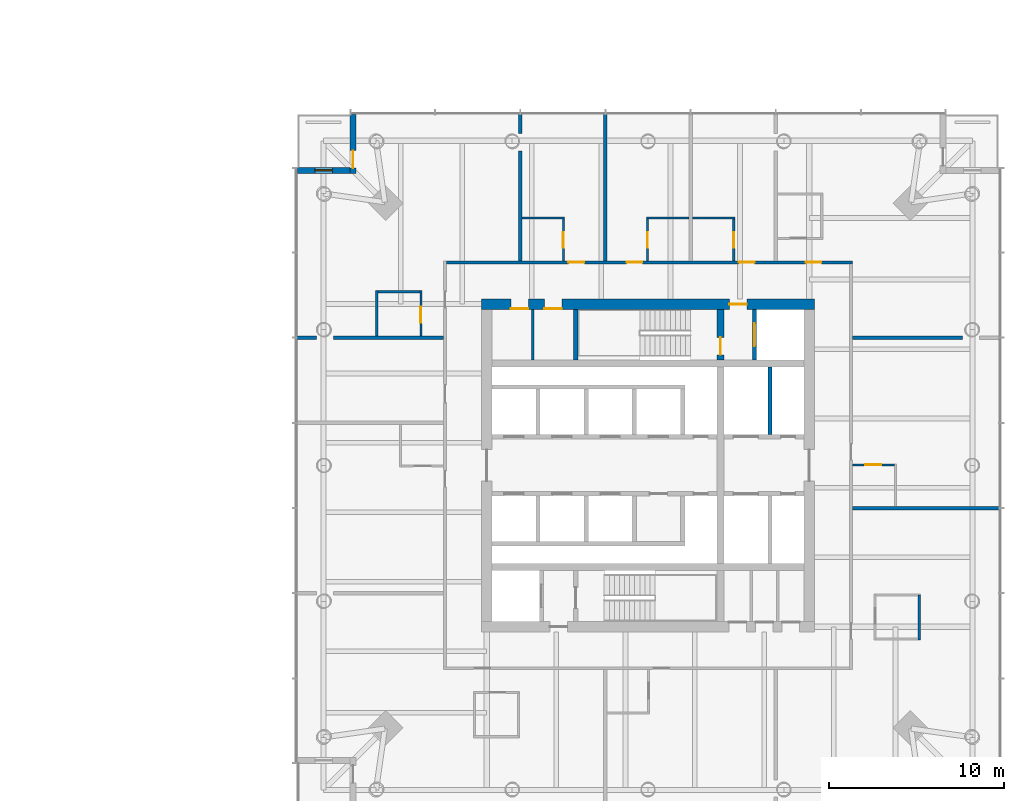
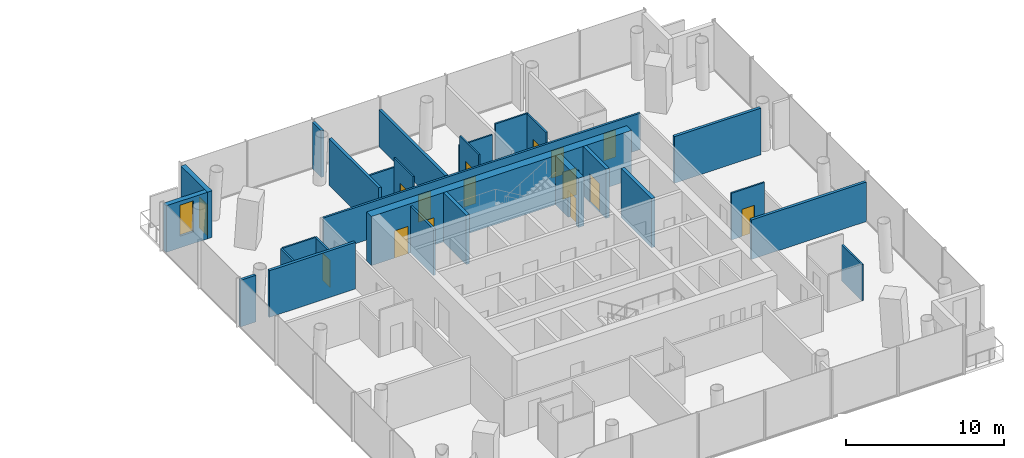
# One storey, part 16 of 21: 27 walls, 15 doors, 1 window, 16 openings.
"""IFC4 building model written with IfcOpenShell, lengths in metres."""

import ifcopenshell
import ifcopenshell.guid

model = None  # the IFC model being written
_history = None  # IfcOwnerHistory: only IFC2X3 demands one
_inside = {}  # id of a spatial element -> (the spatial element, [elements in it])
_under = {}  # id of a project, library or spatial element -> (it, [spatial elements below it])
_declared = {}  # id of a project -> (the project, [libraries it declares])
_typed = {}  # id of a type object -> (the type object, [elements of that type])
_made_of = {}  # id of a material, layer set ... -> (it, [elements and type objects made of it])


def new_model(schema):
    """Start an empty IFC model of exactly this schema.

    Asked for "IFC4X3", IfcOpenShell would pick the latest addendum, in which some entities
    have other attributes; the version numbers below select the first issue.
    IFC2X3 requires an IfcOwnerHistory on every rooted entity: one is made here for all.
    """
    global model, _history
    if schema == "IFC4X3":
        model = ifcopenshell.file(schema_version=(4, 3, 0, 0))
    else:
        model = ifcopenshell.file(schema=schema)
    _inside.clear()
    _under.clear()
    _declared.clear()
    _typed.clear()
    _made_of.clear()
    _history = None
    if model.schema == "IFC2X3":
        org = make("IfcOrganization", Name="unknown")
        user = make(
            "IfcPersonAndOrganization",
            ThePerson=make("IfcPerson", FamilyName="unknown"),
            TheOrganization=org,
        )
        app = make(
            "IfcApplication",
            ApplicationDeveloper=org,
            Version="unknown",
            ApplicationFullName="unknown",
            ApplicationIdentifier="unknown",
        )
        _history = make(
            "IfcOwnerHistory",
            OwningUser=user,
            OwningApplication=app,
            ChangeAction="ADDED",
            CreationDate=0,
        )
    return model


def make(cls, **values):
    """One entity of the class cls with the attributes given. An attribute that is None is left unset."""
    return model.create_entity(
        cls, **{name: value for name, value in values.items() if value is not None}
    )


def rooted(cls, **values):
    """An entity with a GlobalId (a new one), such as an element, a storey or a relation."""
    return make(cls, GlobalId=ifcopenshell.guid.new(), OwnerHistory=_history, **values)


def si_unit(unit_type, name, prefix=None):
    """IfcSIUnit, for example si_unit("LENGTHUNIT", "METRE", prefix="MILLI")."""
    return make("IfcSIUnit", UnitType=unit_type, Prefix=prefix, Name=name)


def assignment(units):
    """IfcUnitAssignment: the units of a project."""
    return None if units is None else make("IfcUnitAssignment", Units=units)


def point(xyz):
    """IfcCartesianPoint."""
    return None if xyz is None else make("IfcCartesianPoint", Coordinates=xyz)


def direction(xyz):
    """IfcDirection."""
    return None if xyz is None else make("IfcDirection", DirectionRatios=xyz)


def frame(location, z_axis=None, x_axis=None):
    """IfcAxis2Placement3D, a coordinate frame: its origin and axes. An axis left out is left unset."""
    return make(
        "IfcAxis2Placement3D",
        Location=point(location),
        Axis=direction(z_axis),
        RefDirection=direction(x_axis),
    )


def frame_2d(location, x_axis=None):
    """IfcAxis2Placement2D, a coordinate frame in the plane: its origin and x axis."""
    return make(
        "IfcAxis2Placement2D", Location=point(location), RefDirection=direction(x_axis)
    )


def origin():
    """The frame at (0, 0, 0) with its axes left unset."""
    return frame((0.0, 0.0, 0.0))


def place(relative_to, where):
    """IfcLocalPlacement: puts the frame where relative to a parent placement (None: the world)."""
    return make(
        "IfcLocalPlacement", PlacementRelTo=relative_to, RelativePlacement=where
    )


def context(
    kind, dimensions, precision=None, world=None, true_north=None, identifier=None
):
    """IfcGeometricRepresentationContext, for example the 3D "Model" context."""
    return make(
        "IfcGeometricRepresentationContext",
        ContextIdentifier=identifier,
        ContextType=kind,
        CoordinateSpaceDimension=dimensions,
        Precision=precision,
        WorldCoordinateSystem=world,
        TrueNorth=true_north,
    )


def subcontext(parent, identifier, kind, view, scale=None):
    """IfcGeometricRepresentationSubContext, for example "Body" below "Model"."""
    return make(
        "IfcGeometricRepresentationSubContext",
        ContextIdentifier=identifier,
        ContextType=kind,
        ParentContext=parent,
        TargetScale=scale,
        TargetView=view,
    )


def project(units=None, contexts=None):
    """IfcProject with its units and contexts."""
    return rooted(
        "IfcProject",
        Name="project",
        RepresentationContexts=contexts,
        UnitsInContext=assignment(units),
    )


def spatial(cls, under=None, at=None, **own):
    """A site, building, storey or space (cls), placed at a placement, below another one or the project."""
    s = rooted(cls, ObjectPlacement=at, **own)
    if under is not None:
        _under.setdefault(under.id(), (under, []))[1].append(s)
    return s


def profile(cls, at=None, kind="AREA", **sizes):
    """A parametric profile (cls). Its sizes go by their IFC names, for example OverallWidth=200.0."""
    return make(cls, ProfileType=kind, Position=at, **sizes)


def rectangle(**sizes):
    """IfcRectangleProfileDef."""
    return profile("IfcRectangleProfileDef", **sizes)


def extrude(swept, where, along, depth):
    """IfcExtrudedAreaSolid: the profile swept, set in the frame where, extruded along a direction by depth."""
    return make(
        "IfcExtrudedAreaSolid",
        SweptArea=swept,
        Position=where,
        ExtrudedDirection=direction(along),
        Depth=depth,
    )


def shape(context_of_items, identifier, shape_type, items):
    """IfcShapeRepresentation: the items that make up one representation, for example the "Body"."""
    return make(
        "IfcShapeRepresentation",
        ContextOfItems=context_of_items,
        RepresentationIdentifier=identifier,
        RepresentationType=shape_type,
        Items=items,
    )


def material(Name=None, Category=None):
    """IfcMaterial."""
    return make("IfcMaterial", Name=Name, Category=Category)


def layer(
    of_material, thickness, ventilated=None, Name=None, Category=None, Priority=None
):
    """IfcMaterialLayer: one layer of a wall or slab, of a material (None: an air gap)."""
    return make(
        "IfcMaterialLayer",
        Material=of_material,
        LayerThickness=thickness,
        IsVentilated=ventilated,
        Name=Name,
        Category=Category,
        Priority=Priority,
    )


def layer_set(layers, Name=None):
    """IfcMaterialLayerSet."""
    return make("IfcMaterialLayerSet", MaterialLayers=layers, LayerSetName=Name)


def made_of(thing, what):
    """Note that an element or type object is made of a material, layer set ...; save() writes the relation."""
    if what is not None:
        _made_of.setdefault(what.id(), (what, []))[1].append(thing)
    return thing


def type_object(cls, material=None, **own):
    """A type object (cls), such as IfcWallType, which elements share."""
    return made_of(rooted(cls, **own), material)


def element(
    cls,
    number,
    at=None,
    inside=None,
    cuts=None,
    type_object=None,
    material=None,
    context=None,
    identifier="Body",
    shape_type=None,
    held_by="IfcProductDefinitionShape",
    body=None,
    shapes=None,
    **own,
):
    """One element of the class cls, such as IfcWall. Its Tag is "e" and its number.

    at: its placement. inside: the storey or other place that contains it. cuts: it is an
    opening in that element (IfcRelVoidsElement). A single representation is given by context,
    identifier, shape_type and body (its items); several are given by shapes. held_by: the class
    of the entity that holds the representations. save() writes the other relations.
    """
    e = rooted(cls, Tag="e%d" % number, ObjectPlacement=at, **own)
    if body is not None:
        shapes = [shape(context, identifier, shape_type, body)]
    if shapes is not None:
        e.Representation = make(held_by, Representations=shapes)
    if inside is not None:
        _inside.setdefault(inside.id(), (inside, []))[1].append(e)
    if cuts is not None:
        rooted(
            "IfcRelVoidsElement", RelatingBuildingElement=cuts, RelatedOpeningElement=e
        )
    if type_object is not None:
        _typed.setdefault(type_object.id(), (type_object, []))[1].append(e)
    return made_of(e, material)


def fill(opening, filler):
    """IfcRelFillsElement: the door or window that sits in an opening."""
    return rooted(
        "IfcRelFillsElement",
        RelatingOpeningElement=opening,
        RelatedBuildingElement=filler,
    )


def aggregate(whole, parts):
    """IfcRelAggregates: a whole, such as a stair, and the parts it consists of."""
    return rooted("IfcRelAggregates", RelatingObject=whole, RelatedObjects=parts)


def save(model, path):
    """Write the relations noted so far, then the file.

    IfcRelAggregates (storeys below a building ...), IfcRelContainedInSpatialStructure (elements
    in a storey), IfcRelDefinesByType, IfcRelAssociatesMaterial and IfcRelDeclares: one each for
    every whole, place, type object, material and project.
    """
    for whole, parts in _under.values():
        aggregate(whole, parts)
    for where, things in _inside.values():
        rooted(
            "IfcRelContainedInSpatialStructure",
            RelatedElements=things,
            RelatingStructure=where,
        )
    for kind, things in _typed.values():
        rooted("IfcRelDefinesByType", RelatedObjects=things, RelatingType=kind)
    for what, things in _made_of.values():
        rooted("IfcRelAssociatesMaterial", RelatedObjects=things, RelatingMaterial=what)
    for by, libraries in _declared.values():
        rooted("IfcRelDeclares", RelatingContext=by, RelatedDefinitions=libraries)
    model.write(path)


model = new_model("IFC4")

# Units and contexts
model_context = context("Model", 3, precision=1e-05, world=origin(), true_north=direction((0.0, 1.0)))
body_context = subcontext(model_context, "Body", "Model", "MODEL_VIEW")
ifc_project = project(units=[si_unit("LENGTHUNIT", "METRE"), si_unit("AREAUNIT", "SQUARE_METRE"), si_unit("VOLUMEUNIT", "CUBIC_METRE"), si_unit("PLANEANGLEUNIT", "RADIAN"), si_unit("MASSUNIT", "GRAM", prefix="KILO")], contexts=[model_context])

# Site, building, storey
site_placement = place(None, origin())
site = spatial("IfcSite", under=ifc_project, at=site_placement, CompositionType="ELEMENT")
building_placement = place(site_placement, origin())
building = spatial("IfcBuilding", under=site, at=building_placement, Name="Ostroluk Exchange", CompositionType="ELEMENT")
storey_placement = place(building_placement, frame((0.0, 0.0, 32.39990234375)))
storey = spatial("IfcBuildingStorey", under=building, at=storey_placement, Name="L07", CompositionType="ELEMENT", Elevation=32.39990234375)

# Wall
ifc_material_1 = material(Name="Concrete blockwork", Category="masonry")
ifc_layer_1 = layer(ifc_material_1, 0.14990234375)
ifc_layer_set_1 = layer_set([ifc_layer_1], Name="Blockwork plant room wall 150")
wall_type_1 = type_object("IfcWallType", Name="Blockwork plant room wall 150", PredefinedType="SOLIDWALL", material=ifc_layer_set_1)
wall_1_placement = place(storey_placement, frame((110.425048828125, 52.0, 0.0), z_axis=(0.0, 0.0, 1.0), x_axis=(0.0, 1.0, 0.0)))
element("IfcWall", 1, at=wall_1_placement, inside=storey, type_object=wall_type_1, Name="Core room wall", PredefinedType="SOLIDWALL", context=body_context, shape_type="SweptSolid", body=[
    extrude(rectangle(XDim=2.89990234375, YDim=0.14990234375, at=frame_2d((1.449951171875, 0.0))), origin(), (0.0, 0.0, 1.0), 3.60009765625),
])

# Wall, opening, door
ifc_material_2 = material(Name="Concrete C50/60", Category="concrete")
ifc_layer_2 = layer(ifc_material_2, 0.39990234375)
ifc_layer_set_2 = layer_set([ifc_layer_2], Name="Core cross wall 400 C50/60")
wall_type_2 = type_object("IfcWallType", Name="Core cross wall 400 C50/60", PredefinedType="SHEAR", material=ifc_layer_set_2)
wall_2_placement = place(storey_placement, frame((121.1298828125, 52.0, 0.0), z_axis=(0.0, 0.0, 1.0), x_axis=(0.0, 1.0, 0.0)))
wall_2 = element("IfcWall", 2, at=wall_2_placement, inside=storey, type_object=wall_type_2, Name="T2 core wall YE3", PredefinedType="SHEAR", context=body_context, shape_type="SweptSolid", body=[
    extrude(rectangle(XDim=2.89990234375, YDim=0.39990234375, at=frame_2d((1.449951171875, 0.0))), origin(), (0.0, 0.0, 1.0), 3.800048828125),
])
opening_1_placement = place(wall_2_placement, frame((0.300048828125, 0.0, 0.0)))
opening_1 = element("IfcOpeningElement", 3, at=opening_1_placement, cuts=wall_2, Name="Opening FD60", PredefinedType="OPENING", context=body_context, shape_type="SweptSolid", body=[
    extrude(rectangle(XDim=1.0, YDim=2.10009765625, at=frame_2d((0.5, 1.050048828125))), frame((0.0, 0.2099609375, 0.0), z_axis=(0.0, -1.0, 0.0), x_axis=(1.0, 0.0, 0.0)), (0.0, 0.0, 1.0), 0.419921875),
])
ifc_material_3 = material(Name="Steel", Category="steel")
door_type_1 = type_object("IfcDoorType", Name="Fire door EI 60 1000 x 2100", OperationType="SINGLE_SWING_LEFT", PredefinedType="DOOR", material=ifc_material_3)
door_1_placement = place(opening_1_placement, origin())
door_1 = element("IfcDoor", 4, at=door_1_placement, inside=storey, type_object=door_type_1, Name="Stair T2-S2 door", OperationType="SINGLE_SWING_LEFT", OverallHeight=2.10009765625, OverallWidth=1.0, PredefinedType="DOOR", context=body_context, shape_type="SweptSolid", body=[
    extrude(rectangle(XDim=1.0, YDim=2.10009765625, at=frame_2d((0.5, 1.050048828125))), frame((0.0, 0.02490234375, 0.0), z_axis=(0.0, -1.0, 0.0), x_axis=(1.0, 0.0, 0.0)), (0.0, 0.0, 1.0), 0.050048828125),
])
fill(opening_1, door_1)

# Wall
ifc_material_4 = material(Name="Concrete C40/50", Category="concrete")
ifc_layer_3 = layer(ifc_material_4, 0.25)
ifc_layer_set_3 = layer_set([ifc_layer_3], Name="Core shaft wall 250")
wall_type_3 = type_object("IfcWallType", Name="Core shaft wall 250", PredefinedType="SHEAR", material=ifc_layer_set_3)
wall_3_placement = place(storey_placement, frame((112.875, 52.0, 0.0), z_axis=(0.0, 0.0, 1.0), x_axis=(0.0, 1.0, 0.0)))
element("IfcWall", 5, at=wall_3_placement, inside=storey, type_object=wall_type_3, Name="Stair shaft wall", PredefinedType="SHEAR", context=body_context, shape_type="SweptSolid", body=[
    extrude(rectangle(XDim=2.89990234375, YDim=0.25, at=frame_2d((1.449951171875, 0.0))), origin(), (0.0, 0.0, 1.0), 3.800048828125),
])

# Wall, opening, door
wall_4_placement = place(storey_placement, frame((123.074951171875, 52.0, 0.0), z_axis=(0.0, 0.0, 1.0), x_axis=(0.0, 1.0, 0.0)))
wall_4 = element("IfcWall", 6, at=wall_4_placement, inside=storey, type_object=wall_type_3, Name="Firefighting lift shaft wall", PredefinedType="SHEAR", context=body_context, shape_type="SweptSolid", body=[
    extrude(rectangle(XDim=2.89990234375, YDim=0.25, at=frame_2d((1.449951171875, 0.0))), origin(), (0.0, 0.0, 1.0), 3.800048828125),
])
opening_2_placement = place(wall_4_placement, frame((0.800048828125, 0.0, 0.0)))
opening_2 = element("IfcOpeningElement", 7, at=opening_2_placement, cuts=wall_4, Name="Opening LD2", PredefinedType="OPENING", context=body_context, shape_type="SweptSolid", body=[
    extrude(rectangle(XDim=1.300048828125, YDim=2.199951171875, at=frame_2d((0.64990234375, 1.10009765625))), frame((0.0, 0.135009765625, 0.0), z_axis=(0.0, -1.0, 0.0), x_axis=(1.0, 0.0, 0.0)), (0.0, 0.0, 1.0), 0.27001953125),
])
ifc_material_5 = material(Name="Stainless steel", Category="steel")
door_type_2 = type_object("IfcDoorType", Name="Lift landing door E 60 1300 x 2200", OperationType="DOUBLE_DOOR_SLIDING", PredefinedType="DOOR", material=ifc_material_5)
door_2_placement = place(opening_2_placement, origin())
door_2 = element("IfcDoor", 8, at=door_2_placement, inside=storey, type_object=door_type_2, Name="Lift HF2 landing door", OperationType="DOUBLE_DOOR_SLIDING", OverallHeight=2.199951171875, OverallWidth=1.300048828125, PredefinedType="DOOR", context=body_context, shape_type="SweptSolid", body=[
    extrude(rectangle(XDim=1.300048828125, YDim=2.199951171875, at=frame_2d((0.64990234375, 1.10009765625))), frame((0.0, 0.02490234375, 0.0), z_axis=(0.0, -1.0, 0.0), x_axis=(1.0, 0.0, 0.0)), (0.0, 0.0, 1.0), 0.050048828125),
])
fill(opening_2, door_2)

# Wall
wall_5_placement = place(storey_placement, frame((123.955078125, 47.75, 0.0), z_axis=(0.0, 0.0, 1.0), x_axis=(0.0, 1.0, 0.0)))
element("IfcWall", 9, at=wall_5_placement, inside=storey, type_object=wall_type_3, Name="Lift shaft wall", PredefinedType="SHEAR", context=body_context, shape_type="SweptSolid", body=[
    extrude(rectangle(XDim=3.85009765625, YDim=0.25, at=frame_2d((1.925048828125, 0.0))), origin(), (0.0, 0.0, 1.0), 3.800048828125),
])

# Wall, openings, doors
ifc_material_6 = material(Name="Concrete C50/60", Category="concrete")
ifc_layer_4 = layer(ifc_material_6, 0.60009765625)
ifc_layer_set_4 = layer_set([ifc_layer_4], Name="Core wall 600 C50/60")
wall_type_4 = type_object("IfcWallType", Name="Core wall 600 C50/60", PredefinedType="SHEAR", material=ifc_layer_set_4)
wall_6_placement = place(storey_placement, frame((107.5, 55.199951171875, 0.0), z_axis=(0.0, 0.0, 1.0), x_axis=(1.0, 0.0, 0.0)))
wall_6 = element("IfcWall", 10, at=wall_6_placement, inside=storey, type_object=wall_type_4, Name="T2 core wall N", PredefinedType="SHEAR", context=body_context, shape_type="SweptSolid", body=[
    extrude(rectangle(XDim=19.0, YDim=0.60009765625, at=frame_2d((9.5, 0.0))), origin(), (0.0, 0.0, 1.0), 3.800048828125),
])
opening_3_placement = place(wall_6_placement, frame((14.139892578125, 0.0, 0.0)))
opening_3 = element("IfcOpeningElement", 11, at=opening_3_placement, cuts=wall_6, Name="Opening FD60", PredefinedType="OPENING", context=body_context, shape_type="SweptSolid", body=[
    extrude(rectangle(XDim=1.0, YDim=2.10009765625, at=frame_2d((0.5, 1.050048828125))), frame((0.0, 0.31005859375, 0.0), z_axis=(0.0, -1.0, 0.0), x_axis=(1.0, 0.0, 0.0)), (0.0, 0.0, 1.0), 0.6201171875),
])
opening_4_placement = place(wall_6_placement, frame((1.675048828125, 0.0, 0.0)))
opening_4 = element("IfcOpeningElement", 12, at=opening_4_placement, cuts=wall_6, Name="Opening FD60", PredefinedType="OPENING", context=body_context, shape_type="SweptSolid", body=[
    extrude(rectangle(XDim=1.0, YDim=2.10009765625, at=frame_2d((0.5, 1.050048828125))), frame((0.0, 0.31005859375, 0.0), z_axis=(0.0, -1.0, 0.0), x_axis=(1.0, 0.0, 0.0)), (0.0, 0.0, 1.0), 0.6201171875),
])
opening_5_placement = place(wall_6_placement, frame((3.58740234375, 0.0, 0.0)))
opening_5 = element("IfcOpeningElement", 13, at=opening_5_placement, cuts=wall_6, Name="Opening FD60", PredefinedType="OPENING", context=body_context, shape_type="SweptSolid", body=[
    extrude(rectangle(XDim=1.0, YDim=2.10009765625, at=frame_2d((0.5, 1.050048828125))), frame((0.0, 0.31005859375, 0.0), z_axis=(0.0, -1.0, 0.0), x_axis=(1.0, 0.0, 0.0)), (0.0, 0.0, 1.0), 0.6201171875),
])
door_3_placement = place(opening_3_placement, origin())
door_3 = element("IfcDoor", 14, at=door_3_placement, inside=storey, type_object=door_type_1, Name="Firefighting lobby door", OperationType="SINGLE_SWING_RIGHT", OverallHeight=2.10009765625, OverallWidth=1.0, PredefinedType="DOOR", context=body_context, shape_type="SweptSolid", body=[
    extrude(rectangle(XDim=1.0, YDim=2.10009765625, at=frame_2d((0.5, 1.050048828125))), frame((0.0, 0.02490234375, 0.0), z_axis=(0.0, -1.0, 0.0), x_axis=(1.0, 0.0, 0.0)), (0.0, 0.0, 1.0), 0.050048828125),
])
fill(opening_3, door_3)
door_4_placement = place(opening_4_placement, origin())
door_4 = element("IfcDoor", 15, at=door_4_placement, inside=storey, type_object=door_type_1, Name="Ice and vending room door", OperationType="SINGLE_SWING_LEFT", OverallHeight=2.10009765625, OverallWidth=1.0, PredefinedType="DOOR", context=body_context, shape_type="SweptSolid", body=[
    extrude(rectangle(XDim=1.0, YDim=2.10009765625, at=frame_2d((0.5, 1.050048828125))), frame((0.0, -0.23974609375, 0.0), z_axis=(0.0, -1.0, 0.0), x_axis=(1.0, 0.0, 0.0)), (0.0, 0.0, 1.0), 0.050048828125),
])
fill(opening_4, door_4)
door_5_placement = place(opening_5_placement, origin())
door_5 = element("IfcDoor", 16, at=door_5_placement, inside=storey, type_object=door_type_1, Name="Room-service pantry door", OperationType="SINGLE_SWING_LEFT", OverallHeight=2.10009765625, OverallWidth=1.0, PredefinedType="DOOR", context=body_context, shape_type="SweptSolid", body=[
    extrude(rectangle(XDim=1.0, YDim=2.10009765625, at=frame_2d((0.5, 1.050048828125))), frame((0.0, -0.23974609375, 0.0), z_axis=(0.0, -1.0, 0.0), x_axis=(1.0, 0.0, 0.0)), (0.0, 0.0, 1.0), 0.050048828125),
])
fill(opening_5, door_5)

# Wall, opening, door
ifc_material_7 = material(Name="Limestone", Category="masonry")
ifc_layer_5 = layer(ifc_material_7, 0.35009765625)
ifc_layer_set_5 = layer_set([ifc_layer_5], Name="Limestone facade wall 350")
wall_type_5 = type_object("IfcWallType", Name="Limestone facade wall 350", PredefinedType="SOLIDWALL", material=ifc_layer_set_5)
wall_7_placement = place(storey_placement, frame((100.175048828125, 66.0, 0.0), z_axis=(0.0, 0.0, 1.0), x_axis=(0.0, -1.0, 0.0)))
wall_7 = element("IfcWall", 17, at=wall_7_placement, inside=storey, type_object=wall_type_5, Name="Hotel tower NW corner wall L07 a", PredefinedType="SOLIDWALL", context=body_context, shape_type="SweptSolid", body=[
    extrude(rectangle(XDim=3.35009765625, YDim=0.35009765625, at=frame_2d((1.675048828125, 0.0))), origin(), (0.0, 0.0, 1.0), 3.60009765625),
])
opening_6_placement = place(wall_7_placement, frame((2.050048828125, 0.0, 0.0)))
opening_6 = element("IfcOpeningElement", 18, at=opening_6_placement, cuts=wall_7, Name="Opening D-B1", PredefinedType="OPENING", context=body_context, shape_type="SweptSolid", body=[
    extrude(rectangle(XDim=1.0, YDim=2.39990234375, at=frame_2d((0.5, 1.199951171875))), frame((0.0, 0.18505859375, 0.0), z_axis=(0.0, -1.0, 0.0), x_axis=(1.0, 0.0, 0.0)), (0.0, 0.0, 1.0), 0.3701171875),
])
ifc_material_8 = material(Name="Bronze framed glazed door", Category="aluminium")
door_type_3 = type_object("IfcDoorType", Name="Balcony door 1000 x 2400", OperationType="SINGLE_SWING_LEFT", PredefinedType="DOOR", material=ifc_material_8)
door_6_placement = place(opening_6_placement, origin())
door_6 = element("IfcDoor", 19, at=door_6_placement, inside=storey, type_object=door_type_3, Name="Hotel tower NW balcony door L07", OperationType="SINGLE_SWING_RIGHT", OverallHeight=2.39990234375, OverallWidth=1.0, PredefinedType="DOOR", context=body_context, shape_type="SweptSolid", body=[
    extrude(rectangle(XDim=1.0, YDim=2.39990234375, at=frame_2d((0.5, 1.199951171875))), frame((0.0, 0.02490234375, 0.0), z_axis=(0.0, -1.0, 0.0), x_axis=(1.0, 0.0, 0.0)), (0.0, 0.0, 1.0), 0.050048828125),
])
fill(opening_6, door_6)

# Wall, opening, window
wall_8_placement = place(storey_placement, frame((100.0, 62.824951171875, 0.0), z_axis=(0.0, 0.0, 1.0), x_axis=(-1.0, 0.0, 0.0)))
wall_8 = element("IfcWall", 20, at=wall_8_placement, inside=storey, type_object=wall_type_5, Name="Hotel tower NW corner wall L07 b", PredefinedType="SOLIDWALL", context=body_context, shape_type="SweptSolid", body=[
    extrude(rectangle(XDim=3.0, YDim=0.35009765625, at=frame_2d((1.5, 0.0))), origin(), (0.0, 0.0, 1.0), 3.60009765625),
])
opening_7_placement = place(wall_8_placement, frame((1.0, 0.0, 0.89990234375)))
opening_7 = element("IfcOpeningElement", 21, at=opening_7_placement, cuts=wall_8, Name="Opening WN-L3", PredefinedType="OPENING", context=body_context, shape_type="SweptSolid", body=[
    extrude(rectangle(XDim=1.0, YDim=2.39990234375, at=frame_2d((0.5, 1.199951171875))), frame((0.0, 0.18505859375, 0.0), z_axis=(0.0, -1.0, 0.0), x_axis=(1.0, 0.0, 0.0)), (0.0, 0.0, 1.0), 0.3701171875),
])
ifc_material_9 = material(Name="Laminated clear glass", Category="glass")
window_type = type_object("IfcWindowType", Name="Hotel lancet window 1000 x 2400", PartitioningType="SINGLE_PANEL", PredefinedType="WINDOW", material=ifc_material_9)
window_placement = place(opening_7_placement, origin())
window = element("IfcWindow", 22, at=window_placement, inside=storey, type_object=window_type, Name="Hotel tower NW lancet window L07", OverallHeight=2.39990234375, OverallWidth=1.0, PartitioningType="SINGLE_PANEL", PredefinedType="WINDOW", context=body_context, shape_type="SweptSolid", body=[
    extrude(rectangle(XDim=1.0, YDim=2.39990234375, at=frame_2d((0.5, 1.199951171875))), frame((0.0, 0.030029296875, 0.0), z_axis=(0.0, -1.0, 0.0), x_axis=(1.0, 0.0, 0.0)), (0.0, 0.0, 1.0), 0.06005859375),
])
fill(opening_7, window)

# Wall
ifc_material_10 = material(Name="Gypsum plasterboard partition, moisture resistant", Category="gypsum")
ifc_layer_6 = layer(ifc_material_10, 0.1201171875)
ifc_layer_set_6 = layer_set([ifc_layer_6], Name="Plasterboard en-suite wall 120")
wall_type_6 = type_object("IfcWallType", Name="Plasterboard en-suite wall 120", PredefinedType="PARTITIONING", material=ifc_layer_set_6)
wall_9_placement = place(storey_placement, frame((132.469970703125, 38.6142578125, 0.0), z_axis=(0.0, 0.0, 1.0), x_axis=(0.0, -1.0, 0.0)))
element("IfcWall", 23, at=wall_9_placement, inside=storey, type_object=wall_type_6, Name="En-suite wall", PredefinedType="PARTITIONING", context=body_context, shape_type="SweptSolid", body=[
    extrude(rectangle(XDim=2.580078125, YDim=0.1201171875, at=frame_2d((1.2900390625, 0.0))), origin(), (0.0, 0.0, 1.0), 2.800048828125),
])

# Wall, opening, door
wall_10_placement = place(storey_placement, frame((128.64990234375, 46.031494140625, 0.0), z_axis=(0.0, 0.0, 1.0), x_axis=(1.0, 0.0, 0.0)))
wall_10 = element("IfcWall", 24, at=wall_10_placement, inside=storey, type_object=wall_type_6, Name="En-suite wall", PredefinedType="PARTITIONING", context=body_context, shape_type="SweptSolid", body=[
    extrude(rectangle(XDim=2.400146484375, YDim=0.1201171875, at=frame_2d((1.2001953125, 0.0))), origin(), (0.0, 0.0, 1.0), 3.60009765625),
])
opening_8_placement = place(wall_10_placement, frame((0.75, 0.0, 0.0)))
opening_8 = element("IfcOpeningElement", 25, at=opening_8_placement, cuts=wall_10, Name="Opening D-02", PredefinedType="OPENING", context=body_context, shape_type="SweptSolid", body=[
    extrude(rectangle(XDim=0.89990234375, YDim=2.10009765625, at=frame_2d((0.449951171875, 1.050048828125))), frame((0.0, 0.070068359375, 0.0), z_axis=(0.0, -1.0, 0.0), x_axis=(1.0, 0.0, 0.0)), (0.0, 0.0, 1.0), 0.14013671875),
])
ifc_material_11 = material(Name="Timber", Category="wood")
door_type_4 = type_object("IfcDoorType", Name="En-suite door 900 x 2100", OperationType="SINGLE_SWING_LEFT", PredefinedType="DOOR", material=ifc_material_11)
door_7_placement = place(opening_8_placement, origin())
door_7 = element("IfcDoor", 26, at=door_7_placement, inside=storey, type_object=door_type_4, Name="En-suite door 702", OperationType="SINGLE_SWING_LEFT", OverallHeight=2.10009765625, OverallWidth=0.89990234375, PredefinedType="DOOR", context=body_context, shape_type="SweptSolid", body=[
    extrude(rectangle(XDim=0.89990234375, YDim=2.10009765625, at=frame_2d((0.449951171875, 1.050048828125))), frame((0.0, 0.02490234375, 0.0), z_axis=(0.0, -1.0, 0.0), x_axis=(1.0, 0.0, 0.0)), (0.0, 0.0, 1.0), 0.050048828125),
])
fill(opening_8, door_7)

# Wall
wall_11_placement = place(storey_placement, frame((121.948486328125, 60.110107421875, 0.0), z_axis=(0.0, 0.0, 1.0), x_axis=(-1.0, 0.0, 0.0)))
element("IfcWall", 27, at=wall_11_placement, inside=storey, type_object=wall_type_6, Name="En-suite wall", PredefinedType="PARTITIONING", context=body_context, shape_type="SweptSolid", body=[
    extrude(rectangle(XDim=2.419921875, YDim=0.1201171875, at=frame_2d((1.2099609375, 0.0))), origin(), (0.0, 0.0, 1.0), 3.60009765625),
])

# Wall, opening, door
wall_12_placement = place(storey_placement, frame((121.888671875, 57.64990234375, 0.0), z_axis=(0.0, 0.0, 1.0), x_axis=(0.0, 1.0, 0.0)))
wall_12 = element("IfcWall", 28, at=wall_12_placement, inside=storey, type_object=wall_type_6, Name="En-suite wall", PredefinedType="PARTITIONING", context=body_context, shape_type="SweptSolid", body=[
    extrude(rectangle(XDim=2.400146484375, YDim=0.1201171875, at=frame_2d((1.2001953125, 0.0))), origin(), (0.0, 0.0, 1.0), 3.60009765625),
])
opening_9_placement = place(wall_12_placement, frame((0.75, 0.0, 0.0)))
opening_9 = element("IfcOpeningElement", 29, at=opening_9_placement, cuts=wall_12, Name="Opening D-02", PredefinedType="OPENING", context=body_context, shape_type="SweptSolid", body=[
    extrude(rectangle(XDim=0.89990234375, YDim=2.10009765625, at=frame_2d((0.449951171875, 1.050048828125))), frame((0.0, 0.070068359375, 0.0), z_axis=(0.0, -1.0, 0.0), x_axis=(1.0, 0.0, 0.0)), (0.0, 0.0, 1.0), 0.14013671875),
])
door_8_placement = place(opening_9_placement, origin())
door_8 = element("IfcDoor", 30, at=door_8_placement, inside=storey, type_object=door_type_4, Name="En-suite door 704", OperationType="SINGLE_SWING_RIGHT", OverallHeight=2.10009765625, OverallWidth=0.89990234375, PredefinedType="DOOR", context=body_context, shape_type="SweptSolid", body=[
    extrude(rectangle(XDim=0.89990234375, YDim=2.10009765625, at=frame_2d((0.449951171875, 1.050048828125))), frame((0.0, 0.02490234375, 0.0), z_axis=(0.0, -1.0, 0.0), x_axis=(1.0, 0.0, 0.0)), (0.0, 0.0, 1.0), 0.050048828125),
])
fill(opening_9, door_8)

# Wall
wall_13_placement = place(storey_placement, frame((119.32861328125, 60.110107421875, 0.0), z_axis=(0.0, 0.0, 1.0), x_axis=(-1.0, 0.0, 0.0)))
element("IfcWall", 31, at=wall_13_placement, inside=storey, type_object=wall_type_6, Name="En-suite wall", PredefinedType="PARTITIONING", context=body_context, shape_type="SweptSolid", body=[
    extrude(rectangle(XDim=2.419921875, YDim=0.1201171875, at=frame_2d((1.2099609375, 0.0))), origin(), (0.0, 0.0, 1.0), 2.84716796875),
])

# Wall, opening, door
wall_14_placement = place(storey_placement, frame((116.968505859375, 57.64990234375, 0.0), z_axis=(0.0, 0.0, 1.0), x_axis=(0.0, 1.0, 0.0)))
wall_14 = element("IfcWall", 32, at=wall_14_placement, inside=storey, type_object=wall_type_6, Name="En-suite wall", PredefinedType="PARTITIONING", context=body_context, shape_type="SweptSolid", body=[
    extrude(rectangle(XDim=2.400146484375, YDim=0.1201171875, at=frame_2d((1.2001953125, 0.0))), origin(), (0.0, 0.0, 1.0), 3.60009765625),
])
opening_10_placement = place(wall_14_placement, frame((0.75, 0.0, 0.0)))
opening_10 = element("IfcOpeningElement", 33, at=opening_10_placement, cuts=wall_14, Name="Opening D-02", PredefinedType="OPENING", context=body_context, shape_type="SweptSolid", body=[
    extrude(rectangle(XDim=0.89990234375, YDim=2.10009765625, at=frame_2d((0.449951171875, 1.050048828125))), frame((0.0, 0.070068359375, 0.0), z_axis=(0.0, -1.0, 0.0), x_axis=(1.0, 0.0, 0.0)), (0.0, 0.0, 1.0), 0.14013671875),
])
door_9_placement = place(opening_10_placement, origin())
door_9 = element("IfcDoor", 34, at=door_9_placement, inside=storey, type_object=door_type_4, Name="En-suite door 705", OperationType="SINGLE_SWING_RIGHT", OverallHeight=2.10009765625, OverallWidth=0.89990234375, PredefinedType="DOOR", context=body_context, shape_type="SweptSolid", body=[
    extrude(rectangle(XDim=0.89990234375, YDim=2.10009765625, at=frame_2d((0.449951171875, 1.050048828125))), frame((0.0, 0.02490234375, 0.0), z_axis=(0.0, -1.0, 0.0), x_axis=(1.0, 0.0, 0.0)), (0.0, 0.0, 1.0), 0.050048828125),
])
fill(opening_10, door_9)

# Wall
wall_15_placement = place(storey_placement, frame((112.234375, 60.110107421875, 0.0), z_axis=(0.0, 0.0, 1.0), x_axis=(-1.0, 0.0, 0.0)))
element("IfcWall", 35, at=wall_15_placement, inside=storey, type_object=wall_type_6, Name="En-suite wall", PredefinedType="PARTITIONING", context=body_context, shape_type="SweptSolid", body=[
    extrude(rectangle(XDim=2.420166015625, YDim=0.1201171875, at=frame_2d((1.2099609375, 0.0))), origin(), (0.0, 0.0, 1.0), 2.84716796875),
])

# Wall, opening, door
wall_16_placement = place(storey_placement, frame((112.17431640625, 57.64990234375, 0.0), z_axis=(0.0, 0.0, 1.0), x_axis=(0.0, 1.0, 0.0)))
wall_16 = element("IfcWall", 36, at=wall_16_placement, inside=storey, type_object=wall_type_6, Name="En-suite wall", PredefinedType="PARTITIONING", context=body_context, shape_type="SweptSolid", body=[
    extrude(rectangle(XDim=2.400146484375, YDim=0.1201171875, at=frame_2d((1.2001953125, 0.0))), origin(), (0.0, 0.0, 1.0), 3.60009765625),
])
opening_11_placement = place(wall_16_placement, frame((0.75, 0.0, 0.0)))
opening_11 = element("IfcOpeningElement", 37, at=opening_11_placement, cuts=wall_16, Name="Opening D-02", PredefinedType="OPENING", context=body_context, shape_type="SweptSolid", body=[
    extrude(rectangle(XDim=0.89990234375, YDim=2.10009765625, at=frame_2d((0.449951171875, 1.050048828125))), frame((0.0, 0.070068359375, 0.0), z_axis=(0.0, -1.0, 0.0), x_axis=(1.0, 0.0, 0.0)), (0.0, 0.0, 1.0), 0.14013671875),
])
door_10_placement = place(opening_11_placement, origin())
door_10 = element("IfcDoor", 38, at=door_10_placement, inside=storey, type_object=door_type_4, Name="En-suite door 706", OperationType="SINGLE_SWING_RIGHT", OverallHeight=2.10009765625, OverallWidth=0.89990234375, PredefinedType="DOOR", context=body_context, shape_type="SweptSolid", body=[
    extrude(rectangle(XDim=0.89990234375, YDim=2.10009765625, at=frame_2d((0.449951171875, 1.050048828125))), frame((0.0, 0.02490234375, 0.0), z_axis=(0.0, -1.0, 0.0), x_axis=(1.0, 0.0, 0.0)), (0.0, 0.0, 1.0), 0.050048828125),
])
fill(opening_11, door_10)

wall_17_placement = place(storey_placement, frame((104.050048828125, 53.3857421875, 0.0), z_axis=(0.0, 0.0, 1.0), x_axis=(0.0, 1.0, 0.0)))
wall_17 = element("IfcWall", 39, at=wall_17_placement, inside=storey, type_object=wall_type_6, Name="En-suite wall", PredefinedType="PARTITIONING", context=body_context, shape_type="SweptSolid", body=[
    extrude(rectangle(XDim=2.580078125, YDim=0.1201171875, at=frame_2d((1.2900390625, 0.0))), origin(), (0.0, 0.0, 1.0), 2.800048828125),
])
opening_12_placement = place(wall_17_placement, frame((0.75, 0.0, 0.0)))
opening_12 = element("IfcOpeningElement", 40, at=opening_12_placement, cuts=wall_17, Name="Opening D-02", PredefinedType="OPENING", context=body_context, shape_type="SweptSolid", body=[
    extrude(rectangle(XDim=0.89990234375, YDim=2.10009765625, at=frame_2d((0.449951171875, 1.050048828125))), frame((0.0, 0.070068359375, 0.0), z_axis=(0.0, -1.0, 0.0), x_axis=(1.0, 0.0, 0.0)), (0.0, 0.0, 1.0), 0.14013671875),
])
door_11_placement = place(opening_12_placement, origin())
door_11 = element("IfcDoor", 41, at=door_11_placement, inside=storey, type_object=door_type_4, Name="En-suite door 707", OperationType="SINGLE_SWING_LEFT", OverallHeight=2.10009765625, OverallWidth=0.89990234375, PredefinedType="DOOR", context=body_context, shape_type="SweptSolid", body=[
    extrude(rectangle(XDim=0.89990234375, YDim=2.10009765625, at=frame_2d((0.449951171875, 1.050048828125))), frame((0.0, 0.02490234375, 0.0), z_axis=(0.0, -1.0, 0.0), x_axis=(1.0, 0.0, 0.0)), (0.0, 0.0, 1.0), 0.050048828125),
])
fill(opening_12, door_11)

# Walls
wall_18_placement = place(storey_placement, frame((101.530029296875, 53.3857421875, 0.0), z_axis=(0.0, 0.0, 1.0), x_axis=(0.0, 1.0, 0.0)))
element("IfcWall", 42, at=wall_18_placement, inside=storey, type_object=wall_type_6, Name="En-suite wall", PredefinedType="PARTITIONING", context=body_context, shape_type="SweptSolid", body=[
    extrude(rectangle(XDim=2.580078125, YDim=0.1201171875, at=frame_2d((1.2900390625, 0.0))), origin(), (0.0, 0.0, 1.0), 2.800048828125),
])
wall_19_placement = place(storey_placement, frame((103.989990234375, 55.90576171875, 0.0), z_axis=(0.0, 0.0, 1.0), x_axis=(-1.0, 0.0, 0.0)))
element("IfcWall", 43, at=wall_19_placement, inside=storey, type_object=wall_type_6, Name="En-suite wall", PredefinedType="PARTITIONING", context=body_context, shape_type="SweptSolid", body=[
    extrude(rectangle(XDim=2.39990234375, YDim=0.1201171875, at=frame_2d((1.199951171875, 0.0))), origin(), (0.0, 0.0, 1.0), 2.84716796875),
])

# Wall, openings, doors
ifc_material_12 = material(Name="Gypsum plasterboard partition", Category="gypsum")
ifc_layer_7 = layer(ifc_material_12, 0.14990234375)
ifc_layer_set_7 = layer_set([ifc_layer_7], Name="Plasterboard partition 150")
wall_type_7 = type_object("IfcWallType", Name="Plasterboard partition 150", PredefinedType="PARTITIONING", material=ifc_layer_set_7)
wall_20_placement = place(storey_placement, frame((128.64990234375, 57.574951171875, 0.0), z_axis=(0.0, 0.0, 1.0), x_axis=(-1.0, 0.0, 0.0)))
wall_20 = element("IfcWall", 44, at=wall_20_placement, inside=storey, type_object=wall_type_7, Name="Corridor wall", PredefinedType="PARTITIONING", context=body_context, shape_type="SweptSolid", body=[
    extrude(rectangle(XDim=23.14990234375, YDim=0.14990234375, at=frame_2d((11.574951171875, 0.0))), origin(), (0.0, 0.0, 1.0), 2.800048828125),
])
opening_13_placement = place(wall_20_placement, frame((1.757080078125, 0.0, 0.0)))
opening_13 = element("IfcOpeningElement", 45, at=opening_13_placement, cuts=wall_20, Name="Opening D-01", PredefinedType="OPENING", context=body_context, shape_type="SweptSolid", body=[
    extrude(rectangle(XDim=0.89990234375, YDim=2.10009765625, at=frame_2d((0.449951171875, 1.050048828125))), frame((0.0, 0.0849609375, 0.0), z_axis=(0.0, -1.0, 0.0), x_axis=(1.0, 0.0, 0.0)), (0.0, 0.0, 1.0), 0.169921875),
])
opening_14_placement = place(wall_20_placement, frame((5.571533203125, 0.0, 0.0)))
opening_14 = element("IfcOpeningElement", 46, at=opening_14_placement, cuts=wall_20, Name="Opening D-01", PredefinedType="OPENING", context=body_context, shape_type="SweptSolid", body=[
    extrude(rectangle(XDim=0.89990234375, YDim=2.10009765625, at=frame_2d((0.449951171875, 1.050048828125))), frame((0.0, 0.0849609375, 0.0), z_axis=(0.0, -1.0, 0.0), x_axis=(1.0, 0.0, 0.0)), (0.0, 0.0, 1.0), 0.169921875),
])
opening_15_placement = place(wall_20_placement, frame((11.971435546875, 0.0, 0.0)))
opening_15 = element("IfcOpeningElement", 47, at=opening_15_placement, cuts=wall_20, Name="Opening D-01", PredefinedType="OPENING", context=body_context, shape_type="SweptSolid", body=[
    extrude(rectangle(XDim=0.89990234375, YDim=2.10009765625, at=frame_2d((0.449951171875, 1.050048828125))), frame((0.0, 0.0849609375, 0.0), z_axis=(0.0, -1.0, 0.0), x_axis=(1.0, 0.0, 0.0)), (0.0, 0.0, 1.0), 0.169921875),
])
opening_16_placement = place(wall_20_placement, frame((15.28564453125, 0.0, 0.0)))
opening_16 = element("IfcOpeningElement", 48, at=opening_16_placement, cuts=wall_20, Name="Opening D-01", PredefinedType="OPENING", context=body_context, shape_type="SweptSolid", body=[
    extrude(rectangle(XDim=0.89990234375, YDim=2.10009765625, at=frame_2d((0.449951171875, 1.050048828125))), frame((0.0, 0.0849609375, 0.0), z_axis=(0.0, -1.0, 0.0), x_axis=(1.0, 0.0, 0.0)), (0.0, 0.0, 1.0), 0.169921875),
])
ifc_material_13 = material(Name="Timber", Category="wood")
door_type_5 = type_object("IfcDoorType", Name="Hotel room door EI 30 Sa 900 x 2100", OperationType="SINGLE_SWING_LEFT", PredefinedType="DOOR", material=ifc_material_13)
door_12_placement = place(opening_13_placement, origin())
door_12 = element("IfcDoor", 49, at=door_12_placement, inside=storey, type_object=door_type_5, Name="Room door 703", OperationType="SINGLE_SWING_LEFT", OverallHeight=2.10009765625, OverallWidth=0.89990234375, PredefinedType="DOOR", context=body_context, shape_type="SweptSolid", body=[
    extrude(rectangle(XDim=0.89990234375, YDim=2.10009765625, at=frame_2d((0.449951171875, 1.050048828125))), frame((0.0, 0.02490234375, 0.0), z_axis=(0.0, -1.0, 0.0), x_axis=(1.0, 0.0, 0.0)), (0.0, 0.0, 1.0), 0.050048828125),
])
fill(opening_13, door_12)
door_13_placement = place(opening_14_placement, origin())
door_13 = element("IfcDoor", 50, at=door_13_placement, inside=storey, type_object=door_type_5, Name="Room door 704", OperationType="SINGLE_SWING_LEFT", OverallHeight=2.10009765625, OverallWidth=0.89990234375, PredefinedType="DOOR", context=body_context, shape_type="SweptSolid", body=[
    extrude(rectangle(XDim=0.89990234375, YDim=2.10009765625, at=frame_2d((0.449951171875, 1.050048828125))), frame((0.0, 0.02490234375, 0.0), z_axis=(0.0, -1.0, 0.0), x_axis=(1.0, 0.0, 0.0)), (0.0, 0.0, 1.0), 0.050048828125),
])
fill(opening_14, door_13)
door_14_placement = place(opening_15_placement, origin())
door_14 = element("IfcDoor", 51, at=door_14_placement, inside=storey, type_object=door_type_5, Name="Room door 705", OperationType="SINGLE_SWING_RIGHT", OverallHeight=2.10009765625, OverallWidth=0.89990234375, PredefinedType="DOOR", context=body_context, shape_type="SweptSolid", body=[
    extrude(rectangle(XDim=0.89990234375, YDim=2.10009765625, at=frame_2d((0.449951171875, 1.050048828125))), frame((0.0, 0.02490234375, 0.0), z_axis=(0.0, -1.0, 0.0), x_axis=(1.0, 0.0, 0.0)), (0.0, 0.0, 1.0), 0.050048828125),
])
fill(opening_15, door_14)
door_15_placement = place(opening_16_placement, origin())
door_15 = element("IfcDoor", 52, at=door_15_placement, inside=storey, type_object=door_type_5, Name="Room door 706", OperationType="SINGLE_SWING_RIGHT", OverallHeight=2.10009765625, OverallWidth=0.89990234375, PredefinedType="DOOR", context=body_context, shape_type="SweptSolid", body=[
    extrude(rectangle(XDim=0.89990234375, YDim=2.10009765625, at=frame_2d((0.449951171875, 1.050048828125))), frame((0.0, 0.02490234375, 0.0), z_axis=(0.0, -1.0, 0.0), x_axis=(1.0, 0.0, 0.0)), (0.0, 0.0, 1.0), 0.050048828125),
])
fill(opening_16, door_15)

# Walls
ifc_material_14 = material(Name="Gypsum plasterboard partition", Category="gypsum")
ifc_layer_8 = layer(ifc_material_14, 0.199951171875)
ifc_layer_set_8 = layer_set([ifc_layer_8], Name="Plasterboard party wall 200")
wall_type_8 = type_object("IfcWallType", Name="Plasterboard party wall 200", PredefinedType="PARTITIONING", material=ifc_layer_set_8)
wall_21_placement = place(storey_placement, frame((128.64990234375, 43.571533203125, 0.0), z_axis=(0.0, 0.0, 1.0), x_axis=(1.0, 0.0, 0.0)))
element("IfcWall", 53, at=wall_21_placement, inside=storey, type_object=wall_type_8, Name="Party wall", PredefinedType="PARTITIONING", context=body_context, shape_type="SweptSolid", body=[
    extrude(rectangle(XDim=8.39013671875, YDim=0.199951171875, at=frame_2d((4.195068359375, 0.0))), origin(), (0.0, 0.0, 1.0), 3.050048828125),
])
wall_22_placement = place(storey_placement, frame((128.64990234375, 53.28564453125, 0.0), z_axis=(0.0, 0.0, 1.0), x_axis=(1.0, 0.0, 0.0)))
element("IfcWall", 54, at=wall_22_placement, inside=storey, type_object=wall_type_8, Name="Party wall", PredefinedType="PARTITIONING", context=body_context, shape_type="SweptSolid", body=[
    extrude(rectangle(XDim=6.288330078125, YDim=0.199951171875, at=frame_2d((3.14404296875, 0.0))), origin(), (0.0, 0.0, 1.0), 3.60009765625),
])
wall_23_placement = place(storey_placement, frame((114.571533203125, 57.64990234375, 0.0), z_axis=(0.0, 0.0, 1.0), x_axis=(0.0, 1.0, 0.0)))
element("IfcWall", 55, at=wall_23_placement, inside=storey, type_object=wall_type_8, Name="Party wall", PredefinedType="PARTITIONING", context=body_context, shape_type="SweptSolid", body=[
    extrude(rectangle(XDim=8.39013671875, YDim=0.199951171875, at=frame_2d((4.195068359375, 0.0))), origin(), (0.0, 0.0, 1.0), 2.84716796875),
])
wall_24_placement = place(storey_placement, frame((109.71435546875, 57.64990234375, 0.0), z_axis=(0.0, 0.0, 1.0), x_axis=(0.0, 1.0, 0.0)))
element("IfcWall", 56, at=wall_24_placement, inside=storey, type_object=wall_type_8, Name="Party wall", PredefinedType="PARTITIONING", context=body_context, shape_type="SweptSolid", body=[
    extrude(rectangle(XDim=6.288330078125, YDim=0.199951171875, at=frame_2d((3.14404296875, 0.0))), origin(), (0.0, 0.0, 1.0), 3.60009765625),
])
wall_25_placement = place(storey_placement, frame((109.71435546875, 64.9150390625, 0.0), z_axis=(0.0, 0.0, 1.0), x_axis=(0.0, 1.0, 0.0)))
element("IfcWall", 57, at=wall_25_placement, inside=storey, type_object=wall_type_8, Name="Party wall", PredefinedType="PARTITIONING", context=body_context, shape_type="SweptSolid", body=[
    extrude(rectangle(XDim=1.125, YDim=0.199951171875, at=frame_2d((0.5625, 0.0))), origin(), (0.0, 0.0, 1.0), 3.60009765625),
])
wall_26_placement = place(storey_placement, frame((105.35009765625, 53.28564453125, 0.0), z_axis=(0.0, 0.0, 1.0), x_axis=(-1.0, 0.0, 0.0)))
element("IfcWall", 58, at=wall_26_placement, inside=storey, type_object=wall_type_8, Name="Party wall", PredefinedType="PARTITIONING", context=body_context, shape_type="SweptSolid", body=[
    extrude(rectangle(XDim=6.288330078125, YDim=0.199951171875, at=frame_2d((3.14404296875, 0.0))), origin(), (0.0, 0.0, 1.0), 3.60009765625),
])
wall_27_placement = place(storey_placement, frame((98.0849609375, 53.28564453125, 0.0), z_axis=(0.0, 0.0, 1.0), x_axis=(-1.0, 0.0, 0.0)))
element("IfcWall", 59, at=wall_27_placement, inside=storey, type_object=wall_type_8, Name="Party wall", PredefinedType="PARTITIONING", context=body_context, shape_type="SweptSolid", body=[
    extrude(rectangle(XDim=1.125, YDim=0.199951171875, at=frame_2d((0.5625, 0.0))), origin(), (0.0, 0.0, 1.0), 3.60009765625),
])

save(model, "model.ifc")
